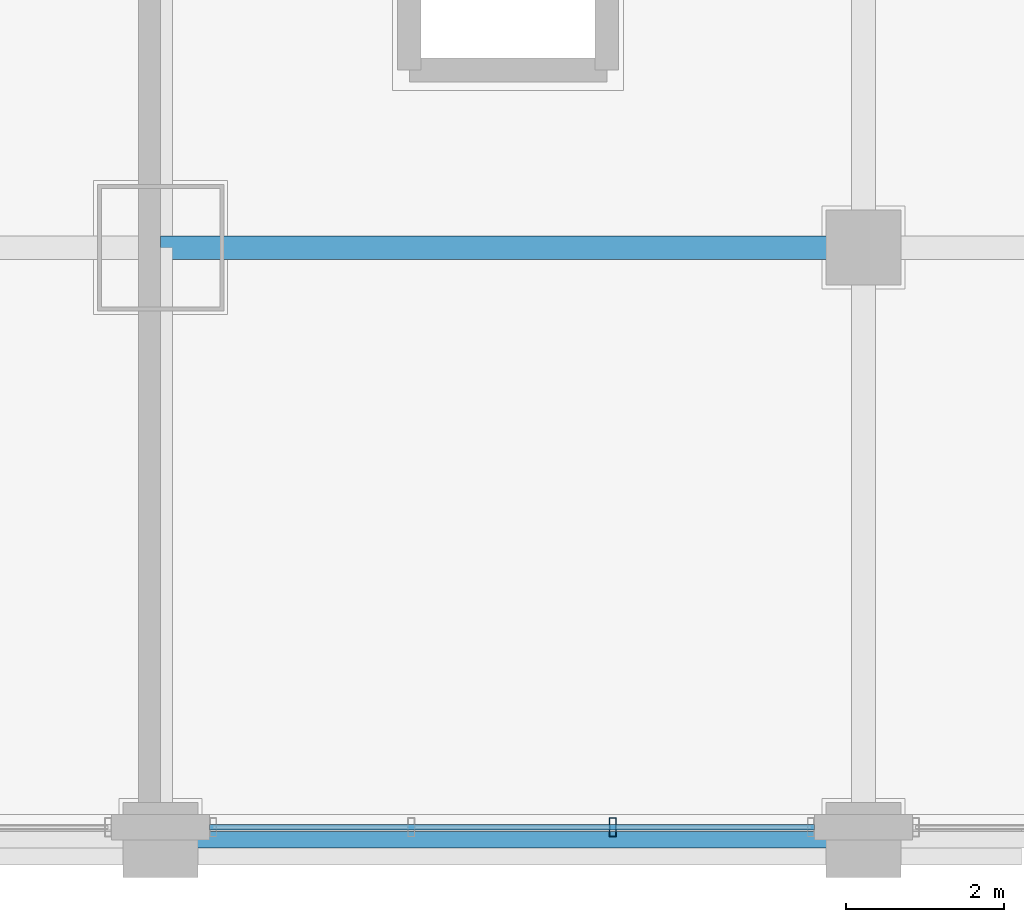
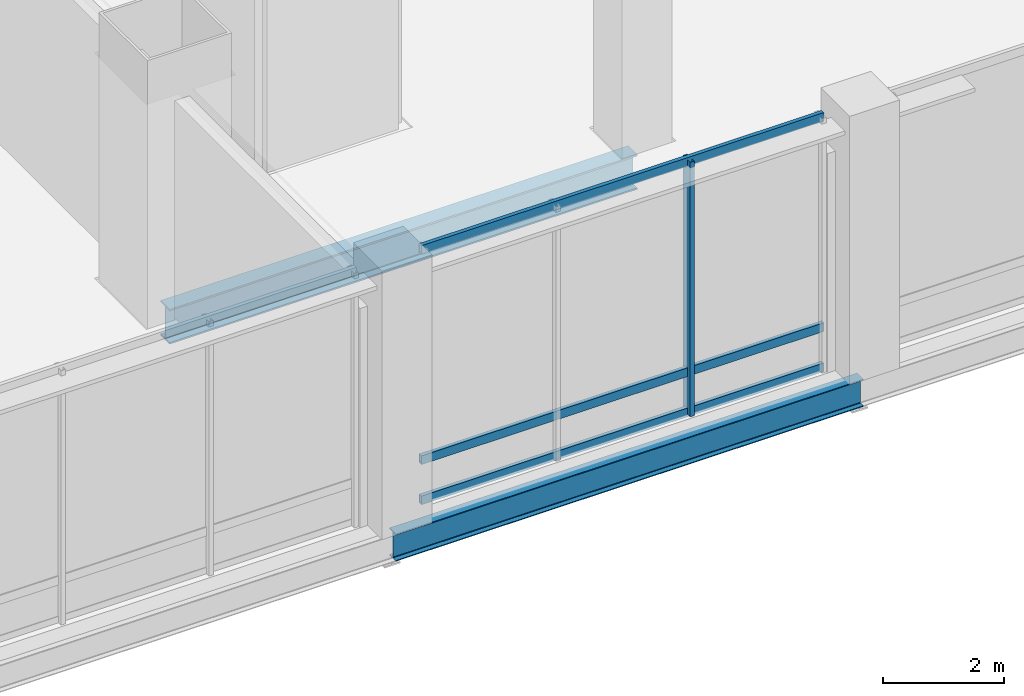
# One storey, part 8 of 39: 4 members, 2 beams, 1 element without a shape of its own.
"""IFC4 building model written with IfcOpenShell, lengths in metres."""

from ifc_helpers import new_model, si_unit, direction, frame, origin, origin_2d, place, context, subcontext, project, spatial, hollow_rectangle, i_section, extrude, material, material_profile, profile_set, type_object, element, aggregate, save


model = new_model("IFC4")

# Units and contexts
model_context = context("Model", 3, precision=1e-05, world=origin(), true_north=direction((0.0, 1.0)))
body_context = subcontext(model_context, "Body", "Model", "MODEL_VIEW")
ifc_project = project(units=[si_unit("LENGTHUNIT", "METRE"), si_unit("AREAUNIT", "SQUARE_METRE"), si_unit("VOLUMEUNIT", "CUBIC_METRE"), si_unit("PLANEANGLEUNIT", "RADIAN"), si_unit("MASSUNIT", "GRAM", prefix="KILO")], contexts=[model_context])

# Site, building, storey
site_placement = place(None, origin())
site = spatial("IfcSite", under=ifc_project, at=site_placement, CompositionType="ELEMENT")
building_placement = place(site_placement, origin())
building = spatial("IfcBuilding", under=site, at=building_placement, Name="Punatoya Terracotta Tower", CompositionType="ELEMENT")
storey_placement = place(building_placement, frame((0.0, 0.0, 11.39990234375)))
storey = spatial("IfcBuildingStorey", under=building, at=storey_placement, Name="L02", CompositionType="ELEMENT", Elevation=11.39990234375)

# Beams
ifc_material_1 = material(Name="Steel S355", Category="steel")
ifc_material_profile_1 = material_profile(ifc_material_1, i_section(OverallWidth=0.300048828125, OverallDepth=0.699951171875, WebThickness=0.01708984375, FlangeThickness=0.031982421875, FilletRadius=0.01806640625, at=origin_2d()))
ifc_profile_set_1 = profile_set([ifc_material_profile_1], Name="Steel S355")
beam_type_1 = type_object("IfcBeamType", Name="BM-PRI-700", PredefinedType="BEAM", material=ifc_profile_set_1)
beam_1_placement = place(storey_placement, frame((19.10009765625, -17.5, -0.6298828125), z_axis=(1.0, 0.0, 0.0), x_axis=(0.0, 1.0, 0.0)))
element("IfcBeam", 1, at=beam_1_placement, inside=storey, type_object=beam_type_1, Name="BM-L02-BE1", PredefinedType="BEAM", context=body_context, shape_type="SweptSolid", body=[
    extrude(i_section(OverallWidth=0.300048828125, OverallDepth=0.699951171875, WebThickness=0.01708984375, FlangeThickness=0.031982421875, FilletRadius=0.01806640625, at=origin_2d()), origin(), (0.0, 0.0, 1.0), 8.89990234375),
])
ifc_material_profile_2 = material_profile(ifc_material_1, i_section(OverallWidth=0.2099609375, OverallDepth=0.550048828125, WebThickness=0.010986328125, FlangeThickness=0.01708984375, FilletRadius=0.01806640625, at=origin_2d()))
ifc_profile_set_2 = profile_set([ifc_material_profile_2], Name="Steel S355")
beam_type_2 = type_object("IfcBeamType", Name="BM-SPN-550", PredefinedType="SPANDREL", material=ifc_profile_set_2)
beam_2_placement = place(storey_placement, frame((19.10009765625, -25.0, -0.554931640625), z_axis=(1.0, 0.0, 0.0), x_axis=(0.0, 1.0, 0.0)))
element("IfcBeam", 2, at=beam_2_placement, inside=storey, type_object=beam_type_2, Name="BM-L02-AE1", PredefinedType="SPANDREL", context=body_context, shape_type="SweptSolid", body=[
    extrude(i_section(OverallWidth=0.2099609375, OverallDepth=0.550048828125, WebThickness=0.010986328125, FlangeThickness=0.01708984375, FilletRadius=0.01806640625, at=origin_2d()), origin(), (0.0, 0.0, 1.0), 8.89990234375),
])

# Curtain wall, members
ifc_material_2 = material(Name="Aluminium 6063-T6 + Double Low-E Glass", Category="aluminium")
curtain_wall_type = type_object("IfcCurtainWallType", Name="CW-POD", PredefinedType="NOTDEFINED", material=ifc_material_2)
curtain_wall_placement = place(storey_placement, origin())
curtain_wall = element("IfcCurtainWall", 3, at=curtain_wall_placement, inside=storey, type_object=curtain_wall_type, Name="L02 Curtain Wall CWP-L02-S6", PredefinedType="NOTDEFINED")
ifc_material_3 = material(Name="Aluminium 6063-T6", Category="aluminium")
ifc_material_profile_3 = material_profile(ifc_material_3, hollow_rectangle(XDim=0.0849609375, YDim=0.239990234375, WallThickness=0.0048828125, at=origin_2d()))
ifc_profile_set_3 = profile_set([ifc_material_profile_3], Name="Aluminium 6063-T6")
member_type_1 = type_object("IfcMemberType", Name="CW-MUL-POD", PredefinedType="MULLION", material=ifc_profile_set_3)
member_1_placement = place(storey_placement, frame((24.82666015625, -24.840087890625, 0.0), z_axis=(0.0, 0.0, 1.0), x_axis=(1.0, 0.0, 0.0)))
member_1 = element("IfcMember", 4, at=member_1_placement, type_object=member_type_1, Name="CWP-L02-S6 Mullion 02", PredefinedType="MULLION", context=body_context, shape_type="SweptSolid", body=[
    extrude(hollow_rectangle(XDim=0.0849609375, YDim=0.239990234375, WallThickness=0.0048828125, at=origin_2d()), origin(), (0.0, 0.0, 1.0), 5.1201171875),
])
ifc_material_profile_4 = material_profile(ifc_material_3, hollow_rectangle(XDim=0.074951171875, YDim=0.175048828125, WallThickness=0.00439453125, at=origin_2d()))
ifc_profile_set_4 = profile_set([ifc_material_profile_4], Name="Aluminium 6063-T6")
member_type_2 = type_object("IfcMemberType", Name="CW-TRN-POD", PredefinedType="USERDEFINED", material=ifc_profile_set_4)
member_2_placement = place(storey_placement, frame((19.719970703125, -24.840087890625, 0.0400390625), z_axis=(1.0, 0.0, 0.0), x_axis=(0.0, 1.0, 0.0)))
member_2 = element("IfcMember", 5, at=member_2_placement, type_object=member_type_2, Name="CWP-L02-S6 Transom 1", ObjectType="TRANSOM", PredefinedType="USERDEFINED", context=body_context, shape_type="SweptSolid", body=[
    extrude(hollow_rectangle(XDim=0.074951171875, YDim=0.175048828125, WallThickness=0.00439453125, at=origin_2d()), origin(), (0.0, 0.0, 1.0), 7.659912109375),
])
member_3_placement = place(storey_placement, frame((19.719970703125, -24.840087890625, 0.85009765625), z_axis=(1.0, 0.0, 0.0), x_axis=(0.0, 1.0, 0.0)))
member_3 = element("IfcMember", 6, at=member_3_placement, type_object=member_type_2, Name="CWP-L02-S6 Transom 2", ObjectType="TRANSOM", PredefinedType="USERDEFINED", context=body_context, shape_type="SweptSolid", body=[
    extrude(hollow_rectangle(XDim=0.074951171875, YDim=0.175048828125, WallThickness=0.00439453125, at=origin_2d()), origin(), (0.0, 0.0, 1.0), 7.659912109375),
])
member_4_placement = place(storey_placement, frame((19.719970703125, -24.840087890625, 5.080078125), z_axis=(1.0, 0.0, 0.0), x_axis=(0.0, 1.0, 0.0)))
member_4 = element("IfcMember", 7, at=member_4_placement, type_object=member_type_2, Name="CWP-L02-S6 Transom 3", ObjectType="TRANSOM", PredefinedType="USERDEFINED", context=body_context, shape_type="SweptSolid", body=[
    extrude(hollow_rectangle(XDim=0.074951171875, YDim=0.175048828125, WallThickness=0.00439453125, at=origin_2d()), origin(), (0.0, 0.0, 1.0), 7.659912109375),
])
aggregate(curtain_wall, [member_1, member_2, member_3, member_4])

save(model, "model.ifc")
